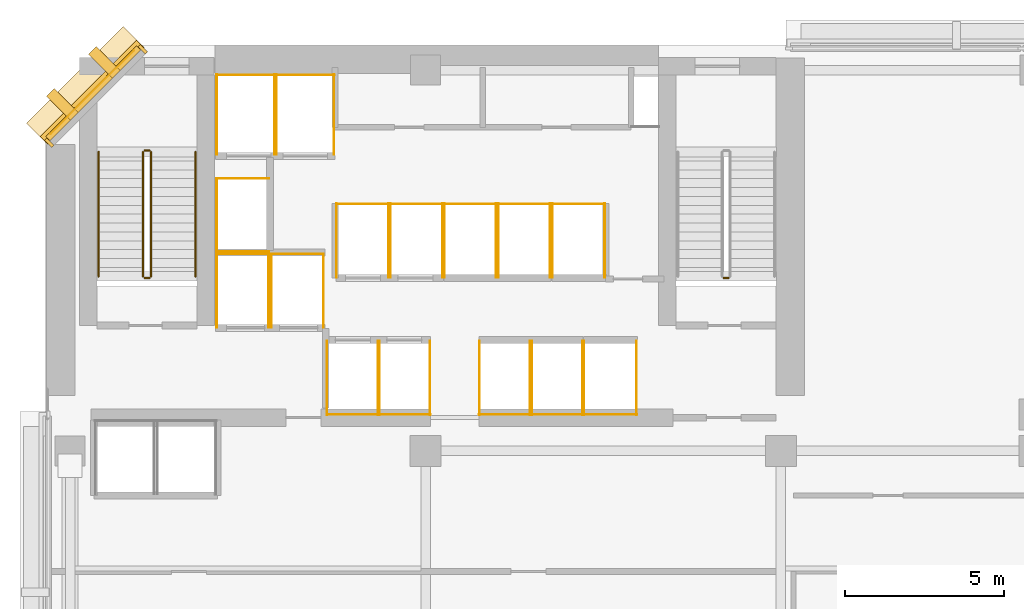
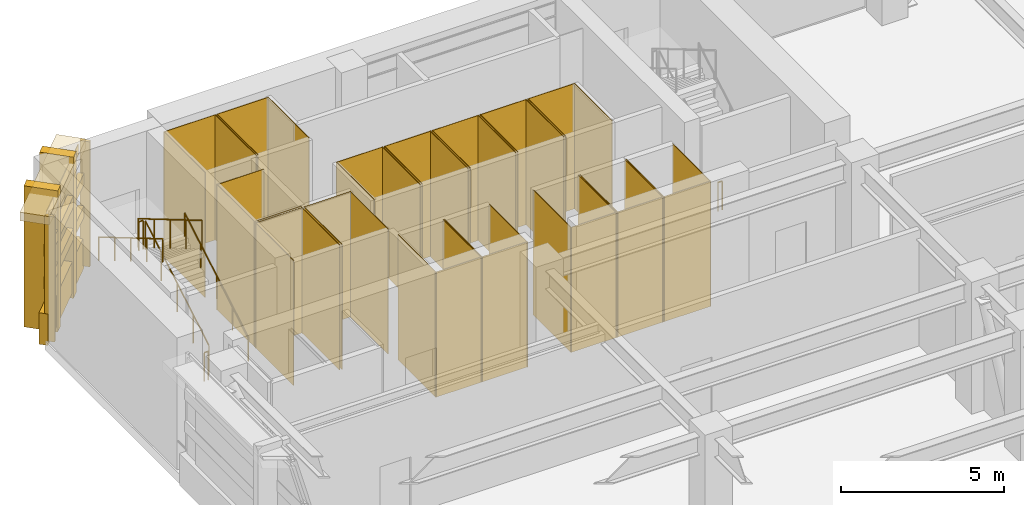
# One storey, part 11 of 13: 54 coverings, 7 railings.
"""IFC4 building model written with IfcOpenShell, lengths in metres."""

from ifc_helpers import new_model, si_unit, direction, frame, origin, origin_2d, place, context, subcontext, project, spatial, polyline, rectangle, circle, outline, extrude, material, layer, layer_set, type_object, element, save


model = new_model("IFC4")

# Units and contexts
model_context = context("Model", 3, precision=1e-05, world=origin(), true_north=direction((0.0, 1.0)))
body_context = subcontext(model_context, "Body", "Model", "MODEL_VIEW")
ifc_project = project(units=[si_unit("LENGTHUNIT", "METRE"), si_unit("AREAUNIT", "SQUARE_METRE"), si_unit("VOLUMEUNIT", "CUBIC_METRE"), si_unit("PLANEANGLEUNIT", "RADIAN"), si_unit("MASSUNIT", "GRAM", prefix="KILO")], contexts=[model_context])

# Site, building, storey
site_placement = place(None, origin())
site = spatial("IfcSite", under=ifc_project, at=site_placement, CompositionType="ELEMENT")
building_placement = place(site_placement, origin())
building = spatial("IfcBuilding", under=site, at=building_placement, Name="Kefirva Bronze Tower", CompositionType="ELEMENT")
storey_placement = place(building_placement, frame((0.0, 0.0, 93.719970703125)))
storey = spatial("IfcBuildingStorey", under=building, at=storey_placement, Name="L22", CompositionType="ELEMENT", Elevation=93.719970703125)

# Coverings
ifc_material_1 = material(Name="Bronze anodised aluminium", Category="aluminium")
ifc_layer_1 = layer(ifc_material_1, 0.02001953125, Name="Bronze anodised aluminium")
ifc_layer_set_1 = layer_set([ifc_layer_1], Name="Bronze anodised aluminium")
covering_type_1 = type_object("IfcCoveringType", Name="Anodised Bronze Spandrel Cladding 20mm", PredefinedType="CLADDING", material=ifc_layer_set_1)
covering_1_placement = place(storey_placement, frame((1.492919921875, 44.507080078125, 4.280029296875), z_axis=(0.0, 0.0, 1.0), x_axis=(-0.707106781187, -0.707106781187, 0.0)))
element("IfcCovering", 1, at=covering_1_placement, inside=storey, type_object=covering_type_1, Name="L22 Bronze Spandrel Cladding 6", PredefinedType="CLADDING", context=body_context, shape_type="SweptSolid", body=[
    extrude(rectangle(XDim=3.719482421875, YDim=0.02001953125, at=origin_2d()), origin(), (0.0, 0.0, 1.0), 0.39990234375),
])
for number, where, z_axis, x_axis, name in (
    (2, (3.08837890625, 45.862060546875, 0.0), (0.0, 0.0, 1.0), (-0.707106781187, -0.707106781187, 0.0), "L22 Facade Joint Closure Panel 6S"),
    (3, (0.137939453125, 42.91162109375, 0.0), (0.0, 0.0, 1.0), (-0.707106781187, -0.707106781187, 0.0), "L22 Facade Joint Closure Panel 6E"),
):
    element("IfcCovering", number, at=place(storey_placement, frame(where, z_axis=z_axis, x_axis=x_axis)), inside=storey, type_object=covering_type_1, Name=name, PredefinedType="CLADDING", context=body_context, shape_type="SweptSolid", body=[
        extrude(rectangle(XDim=0.10009765625, YDim=0.320068359375, at=origin_2d()), origin(), (0.0, 0.0, 1.0), 4.699951171875),
    ])
covering_2_placement = place(storey_placement, frame((1.4716796875, 44.5283203125, -0.16015625), z_axis=(0.0, 0.0, 1.0), x_axis=(-0.707106781187, -0.707106781187, 0.0)))
element("IfcCovering", 4, at=covering_2_placement, inside=storey, type_object=covering_type_1, Name="L22 Streamline Horizontal Spandrel Band 9", PredefinedType="CLADDING", context=body_context, shape_type="SweptSolid", body=[
    extrude(rectangle(XDim=4.28271484375, YDim=0.280029296875, at=origin_2d()), origin(), (0.0, 0.0, 1.0), 1.179931640625),
])
for number, where, z_axis, x_axis, name in (
    (5, (1.5283203125, 44.4716796875, 1.858154296875), (0.0, 0.0, 1.0), (-0.707106781187, -0.707106781187, 0.0), "L22 Recessed Zone-Break Bronze Louvre Band 9-1"),
    (6, (1.5283203125, 44.4716796875, 3.080078125), (0.0, 0.0, 1.0), (-0.707106781187, -0.707106781187, 0.0), "L22 Recessed Zone-Break Bronze Louvre Band 9-2"),
):
    element("IfcCovering", number, at=place(storey_placement, frame(where, z_axis=z_axis, x_axis=x_axis)), inside=storey, type_object=covering_type_1, Name=name, PredefinedType="CLADDING", context=body_context, shape_type="SweptSolid", body=[
        extrude(rectangle(XDim=4.04248046875, YDim=0.199951171875, at=origin_2d()), origin(), (0.0, 0.0, 1.0), 0.419921875),
    ])
covering_3_placement = place(storey_placement, origin())
element("IfcCovering", 7, at=covering_3_placement, inside=storey, type_object=covering_type_1, Name="L22 Lift FF1 Hoistway Liner N", PredefinedType="CLADDING", context=body_context, shape_type="SweptSolid", body=[
    extrude(outline(polyline([(5.39990234375, 39.389892578125), (7.080078125, 39.389892578125), (7.080078125, 39.409912109375), (5.39990234375, 39.409912109375), (5.39990234375, 39.389892578125)])), origin(), (0.0, 0.0, 1.0), 4.699951171875),
])
covering_4_placement = place(storey_placement, origin())
element("IfcCovering", 8, at=covering_4_placement, inside=storey, type_object=covering_type_1, Name="L22 Lift FF1 Hoistway Liner W", PredefinedType="CLADDING", context=body_context, shape_type="SweptSolid", body=[
    extrude(outline(polyline([(5.409912109375, 37.080078125), (5.429931640625, 37.080078125), (5.429931640625, 39.419921875), (5.409912109375, 39.419921875), (5.409912109375, 37.080078125)])), origin(), (0.0, 0.0, 1.0), 4.699951171875),
])
covering_5_placement = place(storey_placement, origin())
element("IfcCovering", 9, at=covering_5_placement, inside=storey, type_object=covering_type_1, Name="L22 Lift FF1 Hoistway Liner E", PredefinedType="CLADDING", context=body_context, shape_type="SweptSolid", body=[
    extrude(outline(polyline([(7.050048828125, 37.080078125), (7.070068359375, 37.080078125), (7.070068359375, 39.419921875), (7.050048828125, 39.419921875), (7.050048828125, 37.080078125)])), origin(), (0.0, 0.0, 1.0), 4.699951171875),
])
covering_6_placement = place(storey_placement, origin())
element("IfcCovering", 10, at=covering_6_placement, inside=storey, type_object=covering_type_1, Name="L22 Lift FF2 Hoistway Liner N", PredefinedType="CLADDING", context=body_context, shape_type="SweptSolid", body=[
    extrude(outline(polyline([(7.1201171875, 39.389892578125), (8.800048828125, 39.389892578125), (8.800048828125, 39.409912109375), (7.1201171875, 39.409912109375), (7.1201171875, 39.389892578125)])), origin(), (0.0, 0.0, 1.0), 4.699951171875),
])
covering_7_placement = place(storey_placement, origin())
element("IfcCovering", 11, at=covering_7_placement, inside=storey, type_object=covering_type_1, Name="L22 Lift FF2 Hoistway Liner W", PredefinedType="CLADDING", context=body_context, shape_type="SweptSolid", body=[
    extrude(outline(polyline([(7.1298828125, 37.080078125), (7.14990234375, 37.080078125), (7.14990234375, 39.419921875), (7.1298828125, 39.419921875), (7.1298828125, 37.080078125)])), origin(), (0.0, 0.0, 1.0), 4.699951171875),
])
covering_8_placement = place(storey_placement, origin())
element("IfcCovering", 12, at=covering_8_placement, inside=storey, type_object=covering_type_1, Name="L22 Lift FF2 Hoistway Liner E", PredefinedType="CLADDING", context=body_context, shape_type="SweptSolid", body=[
    extrude(outline(polyline([(8.77001953125, 37.080078125), (8.7900390625, 37.080078125), (8.7900390625, 39.419921875), (8.77001953125, 39.419921875), (8.77001953125, 37.080078125)])), origin(), (0.0, 0.0, 1.0), 4.699951171875),
])
covering_9_placement = place(storey_placement, origin())
element("IfcCovering", 13, at=covering_9_placement, inside=storey, type_object=covering_type_1, Name="L22 Lift SV1 Hoistway Liner N", PredefinedType="CLADDING", context=body_context, shape_type="SweptSolid", body=[
    extrude(outline(polyline([(5.39990234375, 45.0400390625), (7.260009765625, 45.0400390625), (7.260009765625, 45.06005859375), (5.39990234375, 45.06005859375), (5.39990234375, 45.0400390625)])), origin(), (0.0, 0.0, 1.0), 4.699951171875),
])
covering_10_placement = place(storey_placement, origin())
element("IfcCovering", 14, at=covering_10_placement, inside=storey, type_object=covering_type_1, Name="L22 Lift SV1 Hoistway Liner W", PredefinedType="CLADDING", context=body_context, shape_type="SweptSolid", body=[
    extrude(outline(polyline([(5.409912109375, 42.530029296875), (5.429931640625, 42.530029296875), (5.429931640625, 45.070068359375), (5.409912109375, 45.070068359375), (5.409912109375, 42.530029296875)])), origin(), (0.0, 0.0, 1.0), 4.699951171875),
])
covering_11_placement = place(storey_placement, origin())
element("IfcCovering", 15, at=covering_11_placement, inside=storey, type_object=covering_type_1, Name="L22 Lift SV1 Hoistway Liner E", PredefinedType="CLADDING", context=body_context, shape_type="SweptSolid", body=[
    extrude(outline(polyline([(7.22998046875, 42.530029296875), (7.25, 42.530029296875), (7.25, 45.070068359375), (7.22998046875, 45.070068359375), (7.22998046875, 42.530029296875)])), origin(), (0.0, 0.0, 1.0), 4.699951171875),
])
covering_12_placement = place(storey_placement, origin())
element("IfcCovering", 16, at=covering_12_placement, inside=storey, type_object=covering_type_1, Name="L22 Lift SV2 Hoistway Liner N", PredefinedType="CLADDING", context=body_context, shape_type="SweptSolid", body=[
    extrude(outline(polyline([(7.280029296875, 45.0400390625), (9.139892578125, 45.0400390625), (9.139892578125, 45.06005859375), (7.280029296875, 45.06005859375), (7.280029296875, 45.0400390625)])), origin(), (0.0, 0.0, 1.0), 4.699951171875),
])
covering_13_placement = place(storey_placement, origin())
element("IfcCovering", 17, at=covering_13_placement, inside=storey, type_object=covering_type_1, Name="L22 Lift SV2 Hoistway Liner W", PredefinedType="CLADDING", context=body_context, shape_type="SweptSolid", body=[
    extrude(outline(polyline([(7.2900390625, 42.530029296875), (7.31005859375, 42.530029296875), (7.31005859375, 45.070068359375), (7.2900390625, 45.070068359375), (7.2900390625, 42.530029296875)])), origin(), (0.0, 0.0, 1.0), 4.699951171875),
])
covering_14_placement = place(storey_placement, origin())
element("IfcCovering", 18, at=covering_14_placement, inside=storey, type_object=covering_type_1, Name="L22 Lift SV2 Hoistway Liner E", PredefinedType="CLADDING", context=body_context, shape_type="SweptSolid", body=[
    extrude(outline(polyline([(9.110107421875, 42.530029296875), (9.1298828125, 42.530029296875), (9.1298828125, 45.070068359375), (9.110107421875, 45.070068359375), (9.110107421875, 42.530029296875)])), origin(), (0.0, 0.0, 1.0), 4.699951171875),
])
covering_15_placement = place(storey_placement, origin())
element("IfcCovering", 19, at=covering_15_placement, inside=storey, type_object=covering_type_1, Name="L22 Lift LP1 Hoistway Liner S", PredefinedType="CLADDING", context=body_context, shape_type="SweptSolid", body=[
    extrude(outline(polyline([(8.8798828125, 34.340087890625), (10.52001953125, 34.340087890625), (10.52001953125, 34.360107421875), (8.8798828125, 34.360107421875), (8.8798828125, 34.340087890625)])), origin(), (0.0, 0.0, 1.0), 4.699951171875),
])
covering_16_placement = place(storey_placement, origin())
element("IfcCovering", 20, at=covering_16_placement, inside=storey, type_object=covering_type_1, Name="L22 Lift LP1 Hoistway Liner W", PredefinedType="CLADDING", context=body_context, shape_type="SweptSolid", body=[
    extrude(outline(polyline([(8.889892578125, 34.330078125), (8.909912109375, 34.330078125), (8.909912109375, 36.669921875), (8.889892578125, 36.669921875), (8.889892578125, 34.330078125)])), origin(), (0.0, 0.0, 1.0), 4.699951171875),
])
covering_17_placement = place(storey_placement, origin())
element("IfcCovering", 21, at=covering_17_placement, inside=storey, type_object=covering_type_1, Name="L22 Lift LP1 Hoistway Liner E", PredefinedType="CLADDING", context=body_context, shape_type="SweptSolid", body=[
    extrude(outline(polyline([(10.489990234375, 34.330078125), (10.510009765625, 34.330078125), (10.510009765625, 36.669921875), (10.489990234375, 36.669921875), (10.489990234375, 34.330078125)])), origin(), (0.0, 0.0, 1.0), 4.699951171875),
])
covering_18_placement = place(storey_placement, origin())
element("IfcCovering", 22, at=covering_18_placement, inside=storey, type_object=covering_type_1, Name="L22 Lift LP2 Hoistway Liner S", PredefinedType="CLADDING", context=body_context, shape_type="SweptSolid", body=[
    extrude(outline(polyline([(10.52001953125, 34.340087890625), (12.159912109375, 34.340087890625), (12.159912109375, 34.360107421875), (10.52001953125, 34.360107421875), (10.52001953125, 34.340087890625)])), origin(), (0.0, 0.0, 1.0), 4.699951171875),
])
covering_19_placement = place(storey_placement, origin())
element("IfcCovering", 23, at=covering_19_placement, inside=storey, type_object=covering_type_1, Name="L22 Lift LP2 Hoistway Liner W", PredefinedType="CLADDING", context=body_context, shape_type="SweptSolid", body=[
    extrude(outline(polyline([(10.530029296875, 34.330078125), (10.550048828125, 34.330078125), (10.550048828125, 36.669921875), (10.530029296875, 36.669921875), (10.530029296875, 34.330078125)])), origin(), (0.0, 0.0, 1.0), 4.699951171875),
])
covering_20_placement = place(storey_placement, origin())
element("IfcCovering", 24, at=covering_20_placement, inside=storey, type_object=covering_type_1, Name="L22 Lift LP2 Hoistway Liner E", PredefinedType="CLADDING", context=body_context, shape_type="SweptSolid", body=[
    extrude(outline(polyline([(12.1298828125, 34.330078125), (12.14990234375, 34.330078125), (12.14990234375, 36.669921875), (12.1298828125, 36.669921875), (12.1298828125, 34.330078125)])), origin(), (0.0, 0.0, 1.0), 4.699951171875),
])
covering_21_placement = place(storey_placement, origin())
element("IfcCovering", 25, at=covering_21_placement, inside=storey, type_object=covering_type_1, Name="L22 Lift LP3 Hoistway Liner N", PredefinedType="CLADDING", context=body_context, shape_type="SweptSolid", body=[
    extrude(outline(polyline([(9.179931640625, 40.969970703125), (10.85009765625, 40.969970703125), (10.85009765625, 40.989990234375), (9.179931640625, 40.989990234375), (9.179931640625, 40.969970703125)])), origin(), (0.0, 0.0, 1.0), 4.699951171875),
])
covering_22_placement = place(storey_placement, origin())
element("IfcCovering", 26, at=covering_22_placement, inside=storey, type_object=covering_type_1, Name="L22 Lift LP3 Hoistway Liner W", PredefinedType="CLADDING", context=body_context, shape_type="SweptSolid", body=[
    extrude(outline(polyline([(9.18994140625, 38.659912109375), (9.2099609375, 38.659912109375), (9.2099609375, 41.0), (9.18994140625, 41.0), (9.18994140625, 38.659912109375)])), origin(), (0.0, 0.0, 1.0), 4.699951171875),
])
covering_23_placement = place(storey_placement, origin())
element("IfcCovering", 27, at=covering_23_placement, inside=storey, type_object=covering_type_1, Name="L22 Lift LP3 Hoistway Liner E", PredefinedType="CLADDING", context=body_context, shape_type="SweptSolid", body=[
    extrude(outline(polyline([(10.820068359375, 38.659912109375), (10.840087890625, 38.659912109375), (10.840087890625, 41.0), (10.820068359375, 41.0), (10.820068359375, 38.659912109375)])), origin(), (0.0, 0.0, 1.0), 4.699951171875),
])
covering_24_placement = place(storey_placement, origin())
element("IfcCovering", 28, at=covering_24_placement, inside=storey, type_object=covering_type_1, Name="L22 Lift LP4 Hoistway Liner N", PredefinedType="CLADDING", context=body_context, shape_type="SweptSolid", body=[
    extrude(outline(polyline([(10.8798828125, 40.969970703125), (12.550048828125, 40.969970703125), (12.550048828125, 40.989990234375), (10.8798828125, 40.989990234375), (10.8798828125, 40.969970703125)])), origin(), (0.0, 0.0, 1.0), 4.699951171875),
])
covering_25_placement = place(storey_placement, origin())
element("IfcCovering", 29, at=covering_25_placement, inside=storey, type_object=covering_type_1, Name="L22 Lift LP4 Hoistway Liner W", PredefinedType="CLADDING", context=body_context, shape_type="SweptSolid", body=[
    extrude(outline(polyline([(10.889892578125, 38.659912109375), (10.909912109375, 38.659912109375), (10.909912109375, 41.0), (10.889892578125, 41.0), (10.889892578125, 38.659912109375)])), origin(), (0.0, 0.0, 1.0), 4.699951171875),
])
covering_26_placement = place(storey_placement, origin())
element("IfcCovering", 30, at=covering_26_placement, inside=storey, type_object=covering_type_1, Name="L22 Lift LP4 Hoistway Liner E", PredefinedType="CLADDING", context=body_context, shape_type="SweptSolid", body=[
    extrude(outline(polyline([(12.52001953125, 38.659912109375), (12.5400390625, 38.659912109375), (12.5400390625, 41.0), (12.52001953125, 41.0), (12.52001953125, 38.659912109375)])), origin(), (0.0, 0.0, 1.0), 4.699951171875),
])
covering_27_placement = place(storey_placement, origin())
element("IfcCovering", 31, at=covering_27_placement, inside=storey, type_object=covering_type_1, Name="L22 Lift MP1 Hoistway Liner S", PredefinedType="CLADDING", context=body_context, shape_type="SweptSolid", body=[
    extrude(outline(polyline([(13.679931640625, 34.340087890625), (15.320068359375, 34.340087890625), (15.320068359375, 34.360107421875), (13.679931640625, 34.360107421875), (13.679931640625, 34.340087890625)])), origin(), (0.0, 0.0, 1.0), 4.699951171875),
])
covering_28_placement = place(storey_placement, origin())
element("IfcCovering", 32, at=covering_28_placement, inside=storey, type_object=covering_type_1, Name="L22 Lift MP1 Hoistway Liner W", PredefinedType="CLADDING", context=body_context, shape_type="SweptSolid", body=[
    extrude(outline(polyline([(13.68994140625, 34.330078125), (13.7099609375, 34.330078125), (13.7099609375, 36.669921875), (13.68994140625, 36.669921875), (13.68994140625, 34.330078125)])), origin(), (0.0, 0.0, 1.0), 4.699951171875),
])
covering_29_placement = place(storey_placement, origin())
element("IfcCovering", 33, at=covering_29_placement, inside=storey, type_object=covering_type_1, Name="L22 Lift MP1 Hoistway Liner E", PredefinedType="CLADDING", context=body_context, shape_type="SweptSolid", body=[
    extrude(outline(polyline([(15.2900390625, 34.330078125), (15.31005859375, 34.330078125), (15.31005859375, 36.669921875), (15.2900390625, 36.669921875), (15.2900390625, 34.330078125)])), origin(), (0.0, 0.0, 1.0), 4.699951171875),
])
covering_30_placement = place(storey_placement, origin())
element("IfcCovering", 34, at=covering_30_placement, inside=storey, type_object=covering_type_1, Name="L22 Lift MP2 Hoistway Liner S", PredefinedType="CLADDING", context=body_context, shape_type="SweptSolid", body=[
    extrude(outline(polyline([(15.330078125, 34.340087890625), (16.969970703125, 34.340087890625), (16.969970703125, 34.360107421875), (15.330078125, 34.360107421875), (15.330078125, 34.340087890625)])), origin(), (0.0, 0.0, 1.0), 4.699951171875),
])
covering_31_placement = place(storey_placement, origin())
element("IfcCovering", 35, at=covering_31_placement, inside=storey, type_object=covering_type_1, Name="L22 Lift MP2 Hoistway Liner W", PredefinedType="CLADDING", context=body_context, shape_type="SweptSolid", body=[
    extrude(outline(polyline([(15.340087890625, 34.330078125), (15.360107421875, 34.330078125), (15.360107421875, 36.669921875), (15.340087890625, 36.669921875), (15.340087890625, 34.330078125)])), origin(), (0.0, 0.0, 1.0), 4.699951171875),
])
covering_32_placement = place(storey_placement, origin())
element("IfcCovering", 36, at=covering_32_placement, inside=storey, type_object=covering_type_1, Name="L22 Lift MP2 Hoistway Liner E", PredefinedType="CLADDING", context=body_context, shape_type="SweptSolid", body=[
    extrude(outline(polyline([(16.93994140625, 34.330078125), (16.9599609375, 34.330078125), (16.9599609375, 36.669921875), (16.93994140625, 36.669921875), (16.93994140625, 34.330078125)])), origin(), (0.0, 0.0, 1.0), 4.699951171875),
])
covering_33_placement = place(storey_placement, origin())
element("IfcCovering", 37, at=covering_33_placement, inside=storey, type_object=covering_type_1, Name="L22 Lift MP3 Hoistway Liner N", PredefinedType="CLADDING", context=body_context, shape_type="SweptSolid", body=[
    extrude(outline(polyline([(12.580078125, 40.969970703125), (14.25, 40.969970703125), (14.25, 40.989990234375), (12.580078125, 40.989990234375), (12.580078125, 40.969970703125)])), origin(), (0.0, 0.0, 1.0), 4.699951171875),
])
covering_34_placement = place(storey_placement, origin())
element("IfcCovering", 38, at=covering_34_placement, inside=storey, type_object=covering_type_1, Name="L22 Lift MP3 Hoistway Liner W", PredefinedType="CLADDING", context=body_context, shape_type="SweptSolid", body=[
    extrude(outline(polyline([(12.590087890625, 38.659912109375), (12.610107421875, 38.659912109375), (12.610107421875, 41.0), (12.590087890625, 41.0), (12.590087890625, 38.659912109375)])), origin(), (0.0, 0.0, 1.0), 4.699951171875),
])
covering_35_placement = place(storey_placement, origin())
element("IfcCovering", 39, at=covering_35_placement, inside=storey, type_object=covering_type_1, Name="L22 Lift MP3 Hoistway Liner E", PredefinedType="CLADDING", context=body_context, shape_type="SweptSolid", body=[
    extrude(outline(polyline([(14.219970703125, 38.659912109375), (14.239990234375, 38.659912109375), (14.239990234375, 41.0), (14.219970703125, 41.0), (14.219970703125, 38.659912109375)])), origin(), (0.0, 0.0, 1.0), 4.699951171875),
])
covering_36_placement = place(storey_placement, origin())
element("IfcCovering", 40, at=covering_36_placement, inside=storey, type_object=covering_type_1, Name="L22 Lift MP4 Hoistway Liner N", PredefinedType="CLADDING", context=body_context, shape_type="SweptSolid", body=[
    extrude(outline(polyline([(14.280029296875, 40.969970703125), (15.949951171875, 40.969970703125), (15.949951171875, 40.989990234375), (14.280029296875, 40.989990234375), (14.280029296875, 40.969970703125)])), origin(), (0.0, 0.0, 1.0), 4.699951171875),
])
covering_37_placement = place(storey_placement, origin())
element("IfcCovering", 41, at=covering_37_placement, inside=storey, type_object=covering_type_1, Name="L22 Lift MP4 Hoistway Liner W", PredefinedType="CLADDING", context=body_context, shape_type="SweptSolid", body=[
    extrude(outline(polyline([(14.2900390625, 38.659912109375), (14.31005859375, 38.659912109375), (14.31005859375, 41.0), (14.2900390625, 41.0), (14.2900390625, 38.659912109375)])), origin(), (0.0, 0.0, 1.0), 4.699951171875),
])
covering_38_placement = place(storey_placement, origin())
element("IfcCovering", 42, at=covering_38_placement, inside=storey, type_object=covering_type_1, Name="L22 Lift MP4 Hoistway Liner E", PredefinedType="CLADDING", context=body_context, shape_type="SweptSolid", body=[
    extrude(outline(polyline([(15.919921875, 38.659912109375), (15.93994140625, 38.659912109375), (15.93994140625, 41.0), (15.919921875, 41.0), (15.919921875, 38.659912109375)])), origin(), (0.0, 0.0, 1.0), 4.699951171875),
])
covering_39_placement = place(storey_placement, origin())
element("IfcCovering", 43, at=covering_39_placement, inside=storey, type_object=covering_type_1, Name="L22 Lift HP1 Hoistway Liner S", PredefinedType="CLADDING", context=body_context, shape_type="SweptSolid", body=[
    extrude(outline(polyline([(16.97998046875, 34.340087890625), (18.669921875, 34.340087890625), (18.669921875, 34.360107421875), (16.97998046875, 34.360107421875), (16.97998046875, 34.340087890625)])), origin(), (0.0, 0.0, 1.0), 4.699951171875),
])
covering_40_placement = place(storey_placement, origin())
element("IfcCovering", 44, at=covering_40_placement, inside=storey, type_object=covering_type_1, Name="L22 Lift HP1 Hoistway Liner W", PredefinedType="CLADDING", context=body_context, shape_type="SweptSolid", body=[
    extrude(outline(polyline([(16.989990234375, 34.330078125), (17.010009765625, 34.330078125), (17.010009765625, 36.669921875), (16.989990234375, 36.669921875), (16.989990234375, 34.330078125)])), origin(), (0.0, 0.0, 1.0), 4.699951171875),
])
covering_41_placement = place(storey_placement, origin())
element("IfcCovering", 45, at=covering_41_placement, inside=storey, type_object=covering_type_1, Name="L22 Lift HP1 Hoistway Liner E", PredefinedType="CLADDING", context=body_context, shape_type="SweptSolid", body=[
    extrude(outline(polyline([(18.639892578125, 34.330078125), (18.659912109375, 34.330078125), (18.659912109375, 36.669921875), (18.639892578125, 36.669921875), (18.639892578125, 34.330078125)])), origin(), (0.0, 0.0, 1.0), 4.699951171875),
])
covering_42_placement = place(storey_placement, origin())
element("IfcCovering", 46, at=covering_42_placement, inside=storey, type_object=covering_type_1, Name="L22 Lift HP2 Hoistway Liner N", PredefinedType="CLADDING", context=body_context, shape_type="SweptSolid", body=[
    extrude(outline(polyline([(15.97998046875, 40.969970703125), (17.669921875, 40.969970703125), (17.669921875, 40.989990234375), (15.97998046875, 40.989990234375), (15.97998046875, 40.969970703125)])), origin(), (0.0, 0.0, 1.0), 4.699951171875),
])
covering_43_placement = place(storey_placement, origin())
element("IfcCovering", 47, at=covering_43_placement, inside=storey, type_object=covering_type_1, Name="L22 Lift HP2 Hoistway Liner W", PredefinedType="CLADDING", context=body_context, shape_type="SweptSolid", body=[
    extrude(outline(polyline([(15.989990234375, 38.659912109375), (16.010009765625, 38.659912109375), (16.010009765625, 41.0), (15.989990234375, 41.0), (15.989990234375, 38.659912109375)])), origin(), (0.0, 0.0, 1.0), 4.699951171875),
])
covering_44_placement = place(storey_placement, origin())
element("IfcCovering", 48, at=covering_44_placement, inside=storey, type_object=covering_type_1, Name="L22 Lift HP2 Hoistway Liner E", PredefinedType="CLADDING", context=body_context, shape_type="SweptSolid", body=[
    extrude(outline(polyline([(17.639892578125, 38.659912109375), (17.659912109375, 38.659912109375), (17.659912109375, 41.0), (17.639892578125, 41.0), (17.639892578125, 38.659912109375)])), origin(), (0.0, 0.0, 1.0), 4.699951171875),
])
covering_45_placement = place(storey_placement, origin())
element("IfcCovering", 49, at=covering_45_placement, inside=storey, type_object=covering_type_1, Name="L22 Lift HP3 Hoistway Liner N", PredefinedType="CLADDING", context=body_context, shape_type="SweptSolid", body=[
    extrude(outline(polyline([(5.39990234375, 41.77001953125), (7.080078125, 41.77001953125), (7.080078125, 41.7900390625), (5.39990234375, 41.7900390625), (5.39990234375, 41.77001953125)])), origin(), (0.0, 0.0, 1.0), 4.699951171875),
])
covering_46_placement = place(storey_placement, origin())
element("IfcCovering", 50, at=covering_46_placement, inside=storey, type_object=covering_type_1, Name="L22 Lift HP3 Hoistway Liner S", PredefinedType="CLADDING", context=body_context, shape_type="SweptSolid", body=[
    extrude(outline(polyline([(5.39990234375, 39.469970703125), (7.080078125, 39.469970703125), (7.080078125, 39.489990234375), (5.39990234375, 39.489990234375), (5.39990234375, 39.469970703125)])), origin(), (0.0, 0.0, 1.0), 4.699951171875),
])
covering_47_placement = place(storey_placement, origin())
element("IfcCovering", 51, at=covering_47_placement, inside=storey, type_object=covering_type_1, Name="L22 Lift HP3 Hoistway Liner W", PredefinedType="CLADDING", context=body_context, shape_type="SweptSolid", body=[
    extrude(outline(polyline([(5.409912109375, 39.4599609375), (5.429931640625, 39.4599609375), (5.429931640625, 41.800048828125), (5.409912109375, 41.800048828125), (5.409912109375, 39.4599609375)])), origin(), (0.0, 0.0, 1.0), 4.699951171875),
])

# Railings
ifc_material_2 = material(Name="Stainless steel 316", Category="steel")
railing_type_1 = type_object("IfcRailingType", Name="Interior Stair Guardrail 1100mm", PredefinedType="GUARDRAIL", material=ifc_material_2)
railing_1_placement = place(storey_placement, frame((3.35009765625, 38.699951171875, 0.1650390625)))
element("IfcRailing", 52, at=railing_1_placement, inside=storey, type_object=railing_type_1, Name="L22 ST-1 stair guard 1", PredefinedType="GUARDRAIL", context=body_context, shape_type="SweptSolid", body=[
    extrude(circle(Radius=0.02392578125, at=origin_2d()), frame((0.0, 0.0, 1.076171875), z_axis=(0.0, 0.861542233256, 0.507685907148), x_axis=(-1.0, 0.0, 0.0)), (0.0, 0.0, 1.0), 4.55029296875),
    extrude(circle(Radius=0.02099609375, at=origin_2d()), origin(), (0.0, 0.0, 1.0), 1.052001953125),
    extrude(circle(Radius=0.02099609375, at=origin_2d()), frame((0.0, 0.97998046875, 0.57763671875)), (0.0, 0.0, 1.0), 1.052001953125),
    extrude(circle(Radius=0.02099609375, at=origin_2d()), frame((0.0, 1.9599609375, 1.155029296875)), (0.0, 0.0, 1.0), 1.052001953125),
    extrude(circle(Radius=0.02099609375, at=origin_2d()), frame((0.0, 2.940185546875, 1.732421875)), (0.0, 0.0, 1.0), 1.052001953125),
    extrude(circle(Radius=0.02099609375, at=origin_2d()), frame((0.0, 3.920166015625, 2.31005859375)), (0.0, 0.0, 1.0), 1.052001953125),
])
railing_2_placement = place(storey_placement, frame((3.300048828125, 42.669921875, 2.47509765625)))
element("IfcRailing", 53, at=railing_2_placement, inside=storey, type_object=railing_type_1, Name="L22 ST-1 stair guard 2", PredefinedType="GUARDRAIL", context=body_context, shape_type="SweptSolid", body=[
    extrude(circle(Radius=0.02392578125, at=origin_2d()), frame((0.0, 0.0, 1.076171875), z_axis=(-1.0, 0.0, 0.0), x_axis=(0.0, -1.0, 0.0)), (0.0, 0.0, 1.0), 0.150146484375),
    extrude(circle(Radius=0.02099609375, at=origin_2d()), origin(), (0.0, 0.0, 1.0), 1.052001953125),
    extrude(circle(Radius=0.02099609375, at=origin_2d()), frame((-0.150146484375, 0.0, 0.0)), (0.0, 0.0, 1.0), 1.052001953125),
])
railing_3_placement = place(storey_placement, frame((3.10009765625, 42.6201171875, 2.64013671875)))
element("IfcRailing", 54, at=railing_3_placement, inside=storey, type_object=railing_type_1, Name="L22 ST-1 stair guard 3", PredefinedType="GUARDRAIL", context=body_context, shape_type="SweptSolid", body=[
    extrude(circle(Radius=0.02392578125, at=origin_2d()), frame((0.0, 0.0, 1.076171875), z_axis=(0.0, -0.861565701394, 0.507646079647), x_axis=(1.0, 0.0, 0.0)), (0.0, 0.0, 1.0), 4.550048828125),
    extrude(circle(Radius=0.02099609375, at=origin_2d()), origin(), (0.0, 0.0, 1.0), 1.052001953125),
    extrude(circle(Radius=0.02099609375, at=origin_2d()), frame((0.0, -0.97998046875, 0.577392578125)), (0.0, 0.0, 1.0), 1.052001953125),
    extrude(circle(Radius=0.02099609375, at=origin_2d()), frame((0.0, -1.9599609375, 1.15478515625)), (0.0, 0.0, 1.0), 1.052001953125),
    extrude(circle(Radius=0.02099609375, at=origin_2d()), frame((0.0, -2.940185546875, 1.732421875)), (0.0, 0.0, 1.0), 1.052001953125),
    extrude(circle(Radius=0.02099609375, at=origin_2d()), frame((0.0, -3.920166015625, 2.309814453125)), (0.0, 0.0, 1.0), 1.052001953125),
])
for number, where, name in (
    (55, (3.300048828125, 38.64990234375, 0.0), "L22 ST-1 stair guard 4"),
    (56, (21.550048828125, 38.64990234375, 0.0), "L22 ST-2 stair guard 4"),
):
    element("IfcRailing", number, at=place(storey_placement, frame(where)), inside=storey, type_object=railing_type_1, Name=name, PredefinedType="GUARDRAIL", context=body_context, shape_type="SweptSolid", body=[
        extrude(circle(Radius=0.02392578125, at=origin_2d()), frame((0.0, 0.0, 1.076171875), z_axis=(-1.0, 0.0, 0.0), x_axis=(0.0, -1.0, 0.0)), (0.0, 0.0, 1.0), 0.150146484375),
        extrude(circle(Radius=0.02099609375, at=origin_2d()), origin(), (0.0, 0.0, 1.0), 1.052001953125),
        extrude(circle(Radius=0.02099609375, at=origin_2d()), frame((-0.150146484375, 0.0, 0.0)), (0.0, 0.0, 1.0), 1.052001953125),
    ])
railing_type_2 = type_object("IfcRailingType", Name="Stair Pitch Handrail 900mm", PredefinedType="HANDRAIL", material=ifc_material_2)
railing_4_placement = place(storey_placement, frame((4.75, 38.699951171875, 0.1650390625)))
element("IfcRailing", 57, at=railing_4_placement, inside=storey, type_object=railing_type_2, Name="L22 ST-1 stair handrail 1", PredefinedType="HANDRAIL", context=body_context, shape_type="SweptSolid", body=[
    extrude(circle(Radius=0.02392578125, at=origin_2d()), frame((0.0, 0.0, 0.8759765625), z_axis=(0.0, 0.861542233256, 0.507685907148), x_axis=(-1.0, 0.0, 0.0)), (0.0, 0.0, 1.0), 4.55029296875),
    extrude(circle(Radius=0.02099609375, at=origin_2d()), origin(), (0.0, 0.0, 1.0), 0.851806640625),
    extrude(circle(Radius=0.02099609375, at=origin_2d()), frame((0.0, 0.97998046875, 0.57763671875)), (0.0, 0.0, 1.0), 0.851806640625),
    extrude(circle(Radius=0.02099609375, at=origin_2d()), frame((0.0, 1.9599609375, 1.155029296875)), (0.0, 0.0, 1.0), 0.851806640625),
    extrude(circle(Radius=0.02099609375, at=origin_2d()), frame((0.0, 2.940185546875, 1.732421875)), (0.0, 0.0, 1.0), 0.851806640625),
    extrude(circle(Radius=0.02099609375, at=origin_2d()), frame((0.0, 3.920166015625, 2.31005859375)), (0.0, 0.0, 1.0), 0.851806640625),
])
railing_5_placement = place(storey_placement, frame((1.699951171875, 42.6201171875, 2.64013671875)))
element("IfcRailing", 58, at=railing_5_placement, inside=storey, type_object=railing_type_2, Name="L22 ST-1 stair handrail 2", PredefinedType="HANDRAIL", context=body_context, shape_type="SweptSolid", body=[
    extrude(circle(Radius=0.02392578125, at=origin_2d()), frame((0.0, 0.0, 0.8759765625), z_axis=(0.0, -0.861565701394, 0.507646079647), x_axis=(1.0, 0.0, 0.0)), (0.0, 0.0, 1.0), 4.550048828125),
    extrude(circle(Radius=0.02099609375, at=origin_2d()), origin(), (0.0, 0.0, 1.0), 0.851806640625),
    extrude(circle(Radius=0.02099609375, at=origin_2d()), frame((0.0, -0.97998046875, 0.577392578125)), (0.0, 0.0, 1.0), 0.851806640625),
    extrude(circle(Radius=0.02099609375, at=origin_2d()), frame((0.0, -1.9599609375, 1.15478515625)), (0.0, 0.0, 1.0), 0.851806640625),
    extrude(circle(Radius=0.02099609375, at=origin_2d()), frame((0.0, -2.940185546875, 1.732421875)), (0.0, 0.0, 1.0), 0.851806640625),
    extrude(circle(Radius=0.02099609375, at=origin_2d()), frame((0.0, -3.920166015625, 2.309814453125)), (0.0, 0.0, 1.0), 0.851806640625),
])

# Coverings
ifc_layer_2 = layer(ifc_material_1, 0.179931640625, Name="Bronze anodised aluminium")
ifc_layer_set_2 = layer_set([ifc_layer_2], Name="Bronze anodised aluminium")
covering_type_2 = type_object("IfcCoveringType", Name="Streamline Bronze Sunshade Eyebrow Cladding 180mm", PredefinedType="CLADDING", material=ifc_layer_set_2)
covering_48_placement = place(storey_placement, frame((1.28076171875, 44.71923828125, 4.3798828125), z_axis=(0.0, 0.0, 1.0), x_axis=(-0.707106781187, -0.707106781187, 0.0)))
element("IfcCovering", 59, at=covering_48_placement, inside=storey, type_object=covering_type_2, Name="L22 Streamline Bronze Sunshade Eyebrow 9", PredefinedType="CLADDING", context=body_context, shape_type="SweptSolid", body=[
    extrude(rectangle(XDim=4.322509765625, YDim=0.93994140625, at=origin_2d()), origin(), (0.0, 0.0, 1.0), 0.320068359375),
])
ifc_layer_3 = layer(ifc_material_1, 0.260009765625, Name="Bronze anodised aluminium")
ifc_layer_set_3 = layer_set([ifc_layer_3], Name="Bronze anodised aluminium")
covering_type_3 = type_object("IfcCoveringType", Name="Unbroken Bronze Buttress Fin Cladding 260mm", PredefinedType="CLADDING", material=ifc_layer_set_3)
for number, where, z_axis, x_axis, name in (
    (60, (1.877197265625, 45.44287109375, -0.35009765625), (0.0, 0.0, 1.0), (-0.707106781187, -0.707106781187, 0.0), "L22 Chamfered Corner Buttress Fin Cladding 23"),
    (61, (0.55712890625, 44.122802734375, -0.35009765625), (0.0, 0.0, 1.0), (-0.707106781187, -0.707106781187, 0.0), "L22 Chamfered Corner Buttress Fin Cladding 24"),
):
    element("IfcCovering", number, at=place(storey_placement, frame(where, z_axis=z_axis, x_axis=x_axis)), inside=storey, type_object=covering_type_3, Name=name, PredefinedType="CLADDING", context=body_context, shape_type="SweptSolid", body=[
        extrude(rectangle(XDim=0.340087890625, YDim=1.080078125, at=origin_2d()), origin(), (0.0, 0.0, 1.0), 5.300048828125),
    ])

save(model, "model.ifc")
